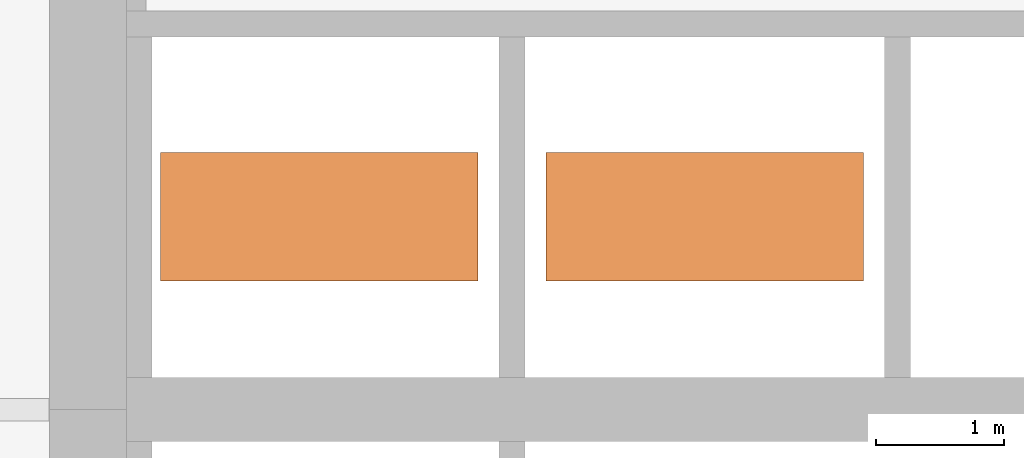
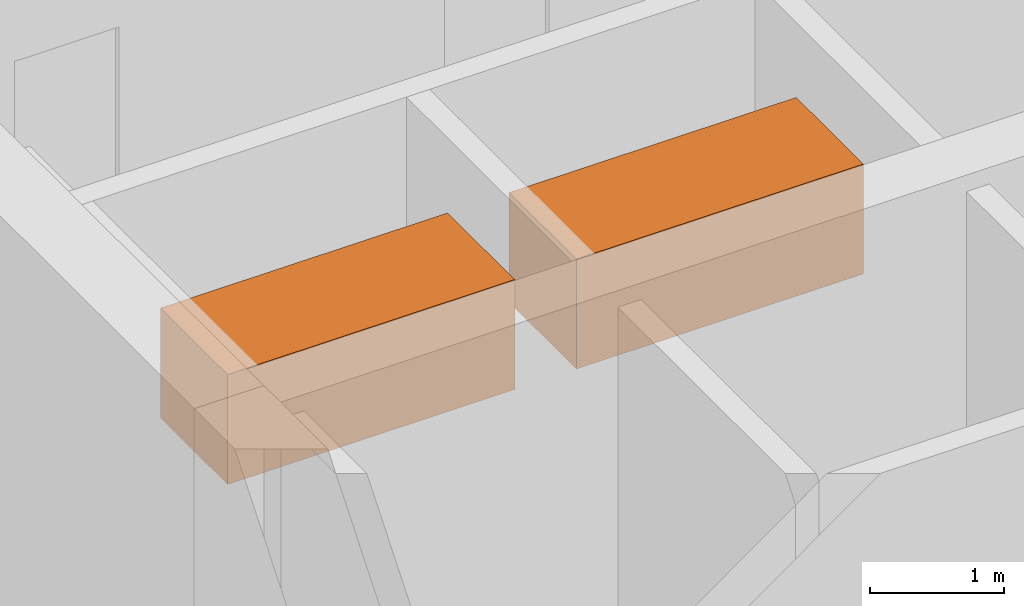
# One storey, part 9 of 9: 2 proxies.
"""IFC4 building model written with IfcOpenShell, lengths in metres."""

from ifc_helpers import new_model, si_unit, direction, frame, origin, origin_2d, place, context, subcontext, project, spatial, rectangle, extrude, material, type_object, element, save


model = new_model("IFC4")

# Units and contexts
model_context = context("Model", 3, precision=1e-05, world=origin(), true_north=direction((0.0, 1.0)))
body_context = subcontext(model_context, "Body", "Model", "MODEL_VIEW")
ifc_project = project(units=[si_unit("LENGTHUNIT", "METRE"), si_unit("AREAUNIT", "SQUARE_METRE"), si_unit("VOLUMEUNIT", "CUBIC_METRE"), si_unit("PLANEANGLEUNIT", "RADIAN"), si_unit("MASSUNIT", "GRAM", prefix="KILO")], contexts=[model_context])

# Site, building, storey
site_placement = place(None, origin())
site = spatial("IfcSite", under=ifc_project, at=site_placement, CompositionType="ELEMENT")
building_placement = place(site_placement, origin())
building = spatial("IfcBuilding", under=site, at=building_placement, Name="Cinnabar Reach Civic Tower", CompositionType="ELEMENT")
storey_placement = place(building_placement, frame((0.0, 0.0, 153.0)))
storey = spatial("IfcBuildingStorey", under=building, at=storey_placement, Name="L36", CompositionType="ELEMENT", Elevation=153.0)

# Proxies
ifc_material = material(Name="Steel", Category="steel")
building_element_proxy_type = type_object("IfcBuildingElementProxyType", Name="T1 lift machine", PredefinedType="USERDEFINED", material=ifc_material)
for number, where, z_axis, x_axis, name in (
    (1, (6.0, 33.0, 2.4), (0.0, 0.0, 1.0), (1.0, 0.0, 0.0), "T1-SH1 machine"),
    (2, (9.0, 33.0, 2.4), (0.0, 0.0, 1.0), (1.0, 0.0, 0.0), "T1-SH2 machine"),
):
    element("IfcBuildingElementProxy", number, at=place(storey_placement, frame(where, z_axis=z_axis, x_axis=x_axis)), inside=storey, type_object=building_element_proxy_type, Name=name, ObjectType="LIFT MACHINE", PredefinedType="USERDEFINED", context=body_context, shape_type="SweptSolid", body=[
        extrude(rectangle(XDim=2.47, YDim=1.0, at=origin_2d()), origin(), (0.0, 0.0, 1.0), 1.0),
    ])

save(model, "model.ifc")
